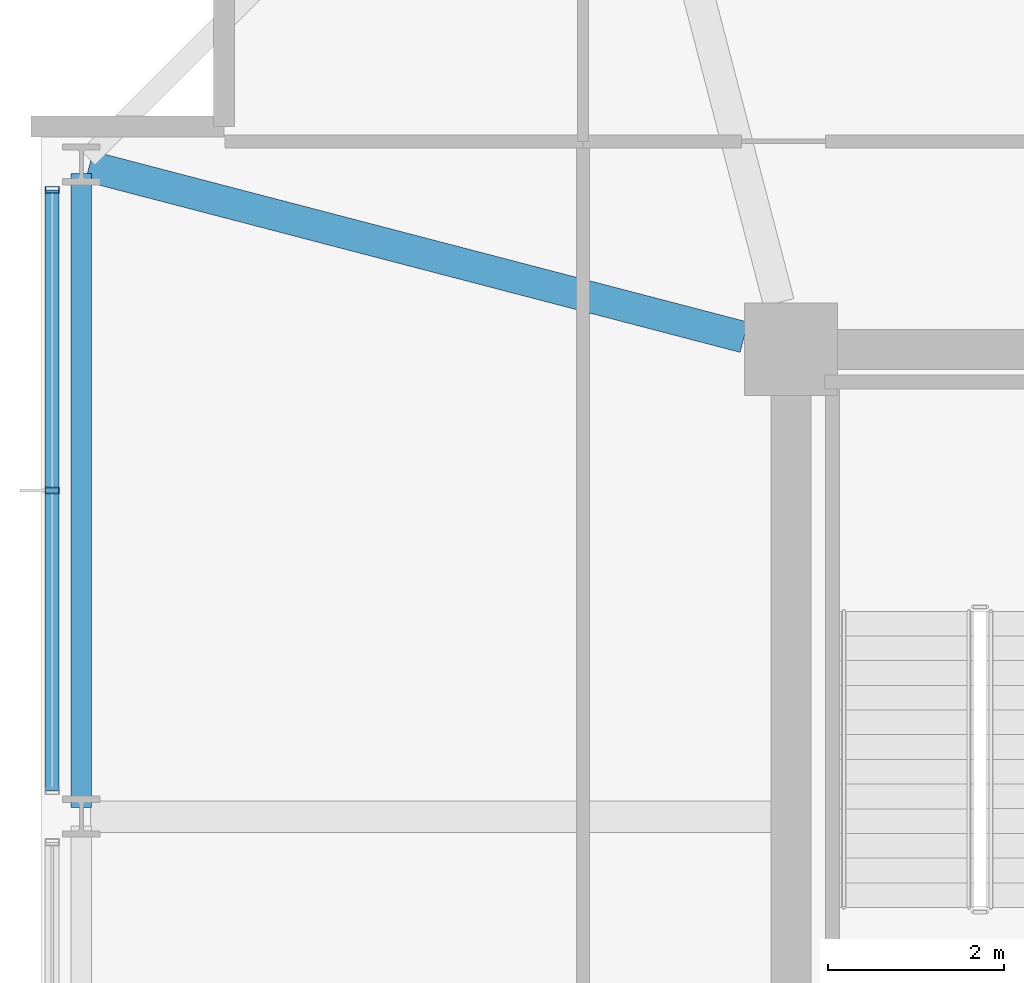
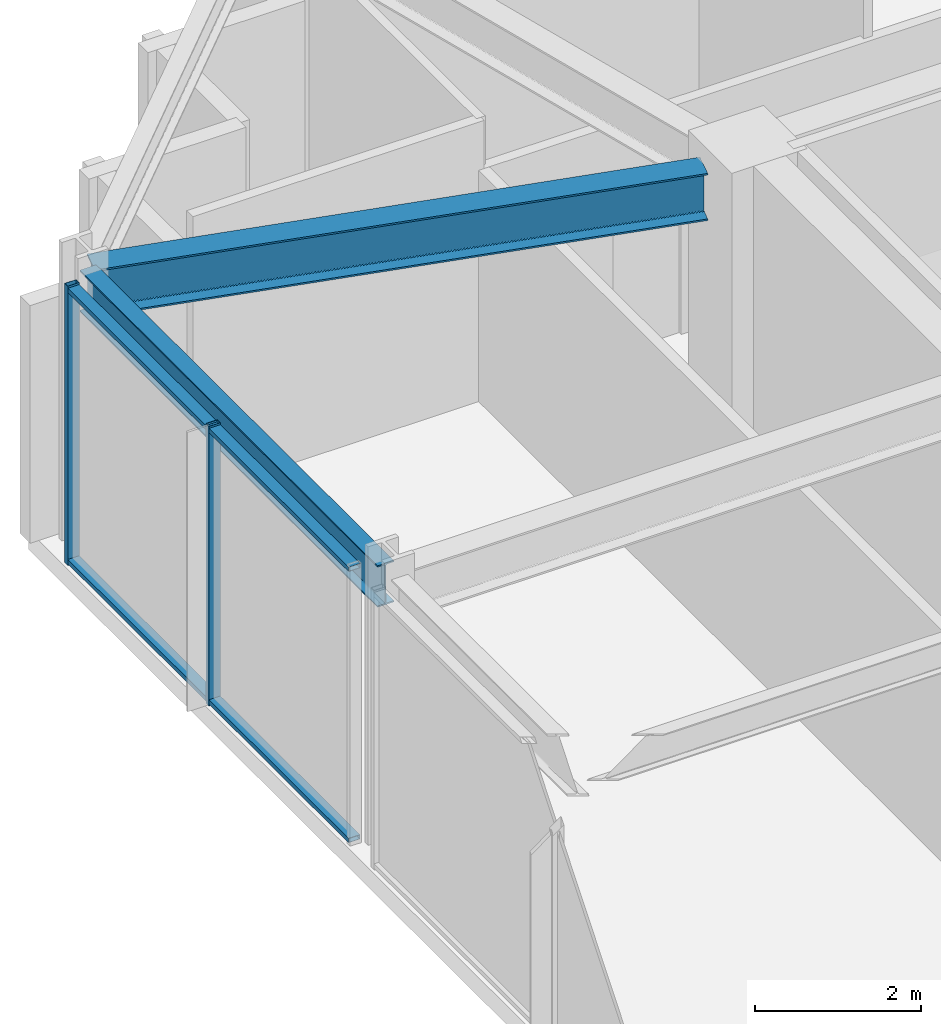
# One storey, part 9 of 26: 4 members, 2 beams, 1 element without a shape of its own.
"""IFC4 building model written with IfcOpenShell, lengths in metres."""

from ifc_helpers import new_model, si_unit, direction, frame, origin, origin_2d, place, context, subcontext, project, spatial, hollow_rectangle, i_section, extrude, material, material_profile, profile_set, type_object, element, aggregate, save


model = new_model("IFC4")

# Units and contexts
model_context = context("Model", 3, precision=1e-05, world=origin(), true_north=direction((0.0, 1.0)))
body_context = subcontext(model_context, "Body", "Model", "MODEL_VIEW")
ifc_project = project(units=[si_unit("LENGTHUNIT", "METRE"), si_unit("AREAUNIT", "SQUARE_METRE"), si_unit("VOLUMEUNIT", "CUBIC_METRE"), si_unit("PLANEANGLEUNIT", "RADIAN"), si_unit("MASSUNIT", "GRAM", prefix="KILO")], contexts=[model_context])

# Site, building, storey
site_placement = place(None, origin())
site = spatial("IfcSite", under=ifc_project, at=site_placement, CompositionType="ELEMENT")
building_placement = place(site_placement, origin())
building = spatial("IfcBuilding", under=site, at=building_placement, Name="Kolvaren Belvedere", CompositionType="ELEMENT")
storey_placement = place(building_placement, frame((0.0, 0.0, 258.39990234375)))
storey = spatial("IfcBuildingStorey", under=building, at=storey_placement, Name="L75", CompositionType="ELEMENT", Elevation=258.39990234375)

# Beams
ifc_material_1 = material(Name="Structural steel ASTM A992 Grade 50", Category="steel")
ifc_material_profile_1 = material_profile(ifc_material_1, i_section(OverallWidth=0.35498046875, OverallDepth=0.696044921875, WebThickness=0.015380859375, FlangeThickness=0.02490234375, FilletRadius=0.02197265625, at=origin_2d()), Name="W27X146")
ifc_profile_set_1 = profile_set([ifc_material_profile_1], Name="Structural steel ASTM A992 Grade 50")
beam_type_1 = type_object("IfcBeamType", Name="BM-GIRD-W27X146", PredefinedType="BEAM", material=ifc_profile_set_1)
beam_1_placement = place(storey_placement, frame((-10.43212890625, 10.038818359375, 3.772216796875), z_axis=(-0.967616934661, 0.252423191796, 0.0), x_axis=(-0.252423191796, -0.967616934661, 0.0)))
element("IfcBeam", 1, at=beam_1_placement, inside=storey, type_object=beam_type_1, Name="L75 Corner Core-to-Perimeter Girder CC4-W4", PredefinedType="BEAM", context=body_context, shape_type="SweptSolid", body=[
    extrude(i_section(OverallWidth=0.35498046875, OverallDepth=0.696044921875, WebThickness=0.015380859375, FlangeThickness=0.02490234375, FilletRadius=0.02197265625, at=origin_2d()), origin(), (0.0, 0.0, 1.0), 7.676513671875),
])
ifc_material_2 = material(Name="Structural steel ASTM A992 Grade 50", Category="steel")
ifc_material_profile_2 = material_profile(ifc_material_2, i_section(OverallWidth=0.22900390625, OverallDepth=0.612060546875, WebThickness=0.011962890625, FlangeThickness=0.01953125, FilletRadius=0.01806640625, at=origin_2d()), Name="W24X84")
ifc_profile_set_2 = profile_set([ifc_material_profile_2], Name="Structural steel ASTM A992 Grade 50")
beam_type_2 = type_object("IfcBeamType", Name="BM-SPAN-W24X84", PredefinedType="SPANDREL", material=ifc_profile_set_2)
beam_2_placement = place(storey_placement, frame((-17.949951171875, 11.8955078125, 3.814208984375), z_axis=(0.0, -1.0, 0.0), x_axis=(1.0, 0.0, 0.0)))
element("IfcBeam", 2, at=beam_2_placement, inside=storey, type_object=beam_type_2, Name="L75 Perimeter Spandrel W4-W3", PredefinedType="SPANDREL", context=body_context, shape_type="SweptSolid", body=[
    extrude(i_section(OverallWidth=0.22900390625, OverallDepth=0.612060546875, WebThickness=0.011962890625, FlangeThickness=0.01953125, FilletRadius=0.01806640625, at=origin_2d()), origin(), (0.0, 0.0, 1.0), 7.19091796875),
])

# Curtain wall, members
ifc_material_3 = material(Name="Anodised pale-metal aluminium AA 6063-T6", Category="aluminium")
curtain_wall_type = type_object("IfcCurtainWallType", Name="CW-CRN-OBS", PredefinedType="NOTDEFINED", material=ifc_material_3)
curtain_wall_placement = place(storey_placement, origin())
curtain_wall = element("IfcCurtainWall", 3, at=curtain_wall_placement, inside=storey, type_object=curtain_wall_type, Name="L75 Unitised Curtain Wall FCW-L75-W-B3", PredefinedType="NOTDEFINED")
ifc_material_4 = material(Name="Anodised pale-metal aluminium AA 6063-T6", Category="aluminium")
ifc_material_profile_3 = material_profile(ifc_material_4, hollow_rectangle(XDim=0.074951171875, YDim=0.159912109375, WallThickness=0.00439453125, at=origin_2d()), Name="ALU-MUL-160X75")
ifc_profile_set_3 = profile_set([ifc_material_profile_3], Name="Anodised pale-metal aluminium AA 6063-T6")
member_type_1 = type_object("IfcMemberType", Name="CW-MUL-160", PredefinedType="MULLION", material=ifc_profile_set_3)
member_1_placement = place(storey_placement, frame((-18.280029296875, 8.300048828125, 0.0), z_axis=(0.0, 0.0, 1.0), x_axis=(0.0, 1.0, 0.0)))
member_1 = element("IfcMember", 4, at=member_1_placement, type_object=member_type_1, Name="FCW-L75-W-B3 Unitised Mullion 2", PredefinedType="MULLION", context=body_context, shape_type="SweptSolid", body=[
    extrude(hollow_rectangle(XDim=0.074951171875, YDim=0.159912109375, WallThickness=0.00439453125, at=origin_2d()), origin(), (0.0, 0.0, 1.0), 4.1201171875),
])
member_2_placement = place(storey_placement, frame((-18.280029296875, 11.7099609375, 0.0), z_axis=(0.0, 0.0, 1.0), x_axis=(0.0, 1.0, 0.0)))
member_2 = element("IfcMember", 5, at=member_2_placement, type_object=member_type_1, Name="FCW-L75-W-B3 Unitised Mullion 3", PredefinedType="MULLION", context=body_context, shape_type="SweptSolid", body=[
    extrude(hollow_rectangle(XDim=0.074951171875, YDim=0.159912109375, WallThickness=0.00439453125, at=origin_2d()), origin(), (0.0, 0.0, 1.0), 4.1201171875),
])
ifc_material_5 = material(Name="Anodised pale-metal aluminium AA 6063-T6", Category="aluminium")
ifc_material_profile_4 = material_profile(ifc_material_5, hollow_rectangle(XDim=0.06494140625, YDim=0.159912109375, WallThickness=0.00390625, at=origin_2d()), Name="ALU-TRN-160X65")
ifc_profile_set_4 = profile_set([ifc_material_profile_4], Name="Anodised pale-metal aluminium AA 6063-T6")
member_type_2 = type_object("IfcMemberType", Name="CW-TRN-160", PredefinedType="USERDEFINED", material=ifc_profile_set_4)
member_3_placement = place(storey_placement, frame((-18.280029296875, 4.889892578125, 0.06005859375), z_axis=(0.0, 1.0, 0.0), x_axis=(0.0, 0.0, 1.0)))
member_3 = element("IfcMember", 6, at=member_3_placement, type_object=member_type_2, Name="FCW-L75-W-B3 Sill Transom", ObjectType="TRANSOM", PredefinedType="USERDEFINED", context=body_context, shape_type="SweptSolid", body=[
    extrude(hollow_rectangle(XDim=0.06494140625, YDim=0.159912109375, WallThickness=0.00390625, at=origin_2d()), origin(), (0.0, 0.0, 1.0), 6.820068359375),
])
member_4_placement = place(storey_placement, frame((-18.280029296875, 4.889892578125, 4.06005859375), z_axis=(0.0, 1.0, 0.0), x_axis=(0.0, 0.0, 1.0)))
member_4 = element("IfcMember", 7, at=member_4_placement, type_object=member_type_2, Name="FCW-L75-W-B3 Head Transom", ObjectType="TRANSOM", PredefinedType="USERDEFINED", context=body_context, shape_type="SweptSolid", body=[
    extrude(hollow_rectangle(XDim=0.06494140625, YDim=0.159912109375, WallThickness=0.00390625, at=origin_2d()), origin(), (0.0, 0.0, 1.0), 6.820068359375),
])
aggregate(curtain_wall, [member_1, member_2, member_3, member_4])

save(model, "model.ifc")
